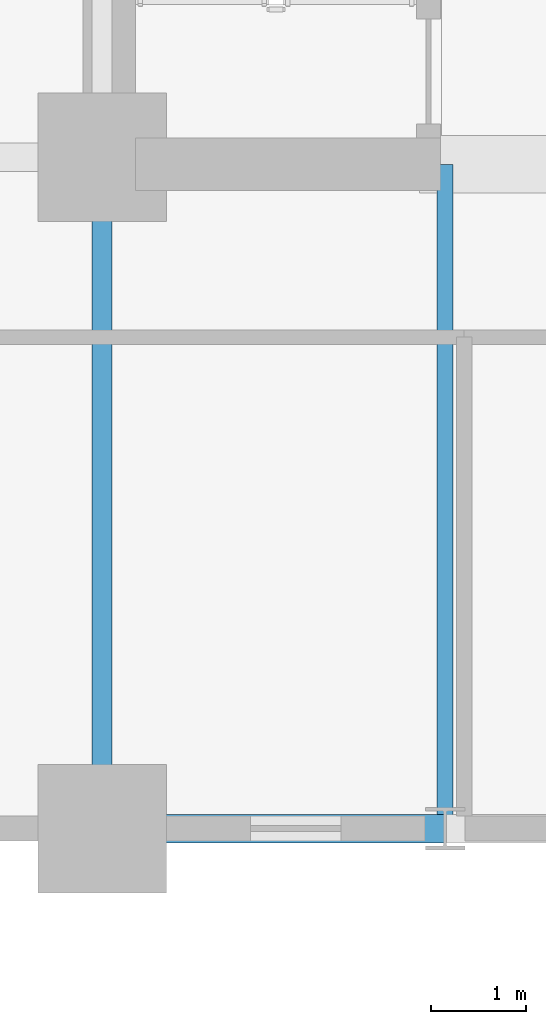
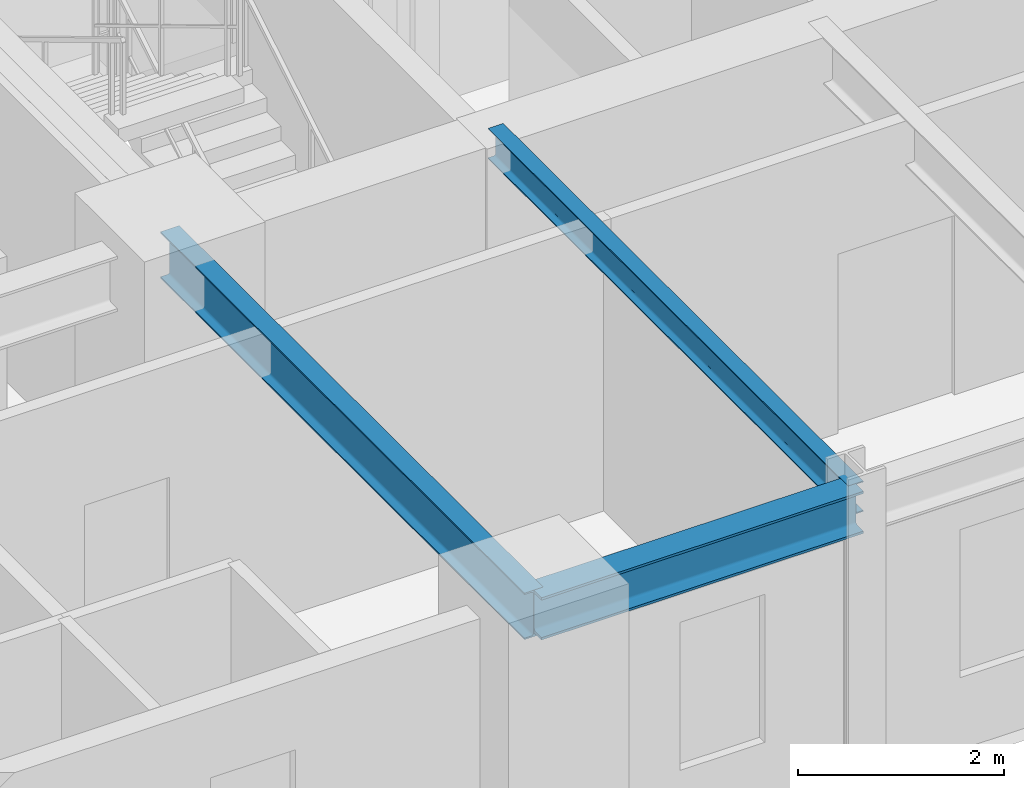
# One storey, part 3 of 19: 3 beams.
"""IFC4 building model written with IfcOpenShell, lengths in metres."""

from ifc_helpers import new_model, si_unit, direction, frame, origin, origin_2d, place, context, subcontext, project, spatial, i_section, extrude, source, transform, mapped, material, material_profile, profile_set, type_object, element, save


model = new_model("IFC4")

# Units and contexts
model_context = context("Model", 3, precision=1e-05, world=origin(), true_north=direction((0.0, 1.0)))
body_context = subcontext(model_context, "Body", "Model", "MODEL_VIEW")
ifc_project = project(units=[si_unit("LENGTHUNIT", "METRE"), si_unit("AREAUNIT", "SQUARE_METRE"), si_unit("VOLUMEUNIT", "CUBIC_METRE"), si_unit("PLANEANGLEUNIT", "RADIAN"), si_unit("MASSUNIT", "GRAM", prefix="KILO")], contexts=[model_context])

# Site, building, storey
site_placement = place(None, origin())
site = spatial("IfcSite", under=ifc_project, at=site_placement, CompositionType="ELEMENT")
building_placement = place(site_placement, origin())
building = spatial("IfcBuilding", under=site, at=building_placement, Name="Kaliganga Portal Commons", CompositionType="ELEMENT")
storey_placement = place(building_placement, frame((0.0, 0.0, 32.699951171875)))
storey = spatial("IfcBuildingStorey", under=building, at=storey_placement, Name="L07", CompositionType="ELEMENT", Elevation=32.699951171875)

# Beams
ifc_material = material(Name="Structural steel S355J2", Category="steel")
ifc_material_profile_1 = material_profile(ifc_material, i_section(OverallWidth=0.300048828125, OverallDepth=0.5, WebThickness=0.014404296875, FlangeThickness=0.028076171875, FilletRadius=0.027099609375, at=origin_2d()), Name="HE 500 B")
ifc_profile_set_1 = profile_set([ifc_material_profile_1], Name="Structural steel S355J2 wide-flange")
beam_type_1 = type_object("IfcBeamType", Name="BM-SPAND-500", PredefinedType="SPANDREL", material=ifc_profile_set_1)
shared_shape_1 = source(origin(), body_context, "Body", "SweptSolid", [
    extrude(i_section(OverallWidth=0.300048828125, OverallDepth=0.5, WebThickness=0.014404296875, FlangeThickness=0.028076171875, FilletRadius=0.027099609375, at=origin_2d()), origin(), (0.0, 0.0, 1.0), 3.60009765625),
])
beam_1_placement = place(storey_placement, frame((14.39990234375, 21.60009765625, 3.199951171875), z_axis=(1.0, 0.0, 0.0), x_axis=(0.0, 1.0, 0.0)))
element("IfcBeam", 1, at=beam_1_placement, inside=storey, type_object=beam_type_1, Name="BM SP L07 AS 1", PredefinedType="SPANDREL", context=body_context, shape_type="MappedRepresentation", body=[
    mapped(shared_shape_1, transform((0.0, 0.0, 0.0), x_axis=(1.0, 0.0, 0.0), y_axis=(0.0, 1.0, 0.0), z_axis=(0.0, 0.0, 1.0), scale=1.0)),
])
ifc_material_profile_2 = material_profile(ifc_material, i_section(OverallWidth=0.2099609375, OverallDepth=0.550048828125, WebThickness=0.010986328125, FlangeThickness=0.01708984375, FilletRadius=0.02392578125, at=origin_2d()), Name="IPE 550")
ifc_profile_set_2 = profile_set([ifc_material_profile_2], Name="Structural steel S355J2 wide-flange")
beam_type_2 = type_object("IfcBeamType", Name="BM-FLR-550", PredefinedType="BEAM", material=ifc_profile_set_2)
shared_shape_2 = source(origin(), body_context, "Body", "SweptSolid", [
    extrude(i_section(OverallWidth=0.2099609375, OverallDepth=0.550048828125, WebThickness=0.010986328125, FlangeThickness=0.01708984375, FilletRadius=0.02392578125, at=origin_2d()), origin(), (0.0, 0.0, 1.0), 7.0498046875),
])
beam_2_placement = place(storey_placement, frame((14.39990234375, 21.60009765625, 3.175048828125), z_axis=(0.0, 1.0, 0.0), x_axis=(-1.0, 0.0, 0.0)))
element("IfcBeam", 2, at=beam_2_placement, inside=storey, type_object=beam_type_2, Name="BM G L07 AS144", PredefinedType="BEAM", context=body_context, shape_type="MappedRepresentation", body=[
    mapped(shared_shape_2, transform((0.0, 0.0, 0.0), x_axis=(1.0, 0.0, 0.0), y_axis=(0.0, 1.0, 0.0), z_axis=(0.0, 0.0, 1.0), scale=1.0)),
])
ifc_material_profile_3 = material_profile(ifc_material, i_section(OverallWidth=0.169921875, OverallDepth=0.360107421875, WebThickness=0.008056640625, FlangeThickness=0.0126953125, FilletRadius=0.01806640625, at=origin_2d()), Name="IPE 360")
ifc_profile_set_3 = profile_set([ifc_material_profile_3], Name="Structural steel S355J2 wide-flange")
beam_type_3 = type_object("IfcBeamType", Name="BM-JST-360", PredefinedType="JOIST", material=ifc_profile_set_3)
shared_shape_3 = source(origin(), body_context, "Body", "SweptSolid", [
    extrude(i_section(OverallWidth=0.169921875, OverallDepth=0.360107421875, WebThickness=0.008056640625, FlangeThickness=0.0126953125, FilletRadius=0.01806640625, at=origin_2d()), origin(), (0.0, 0.0, 1.0), 6.974853515625),
])
beam_3_placement = place(storey_placement, frame((18.0, 21.60009765625, 3.27001953125), z_axis=(0.0, 1.0, 0.0), x_axis=(-1.0, 0.0, 0.0)))
element("IfcBeam", 3, at=beam_3_placement, inside=storey, type_object=beam_type_3, Name="BM G L07 AS180", PredefinedType="JOIST", context=body_context, shape_type="MappedRepresentation", body=[
    mapped(shared_shape_3, transform((0.0, 0.0, 0.0), x_axis=(1.0, 0.0, 0.0), y_axis=(0.0, 1.0, 0.0), z_axis=(0.0, 0.0, 1.0), scale=1.0)),
])

save(model, "model.ifc")
